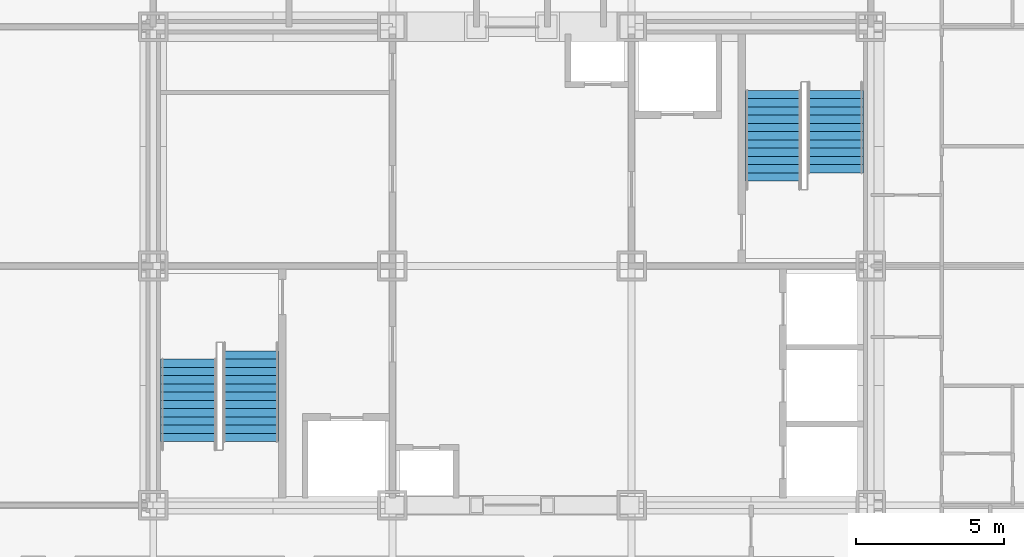
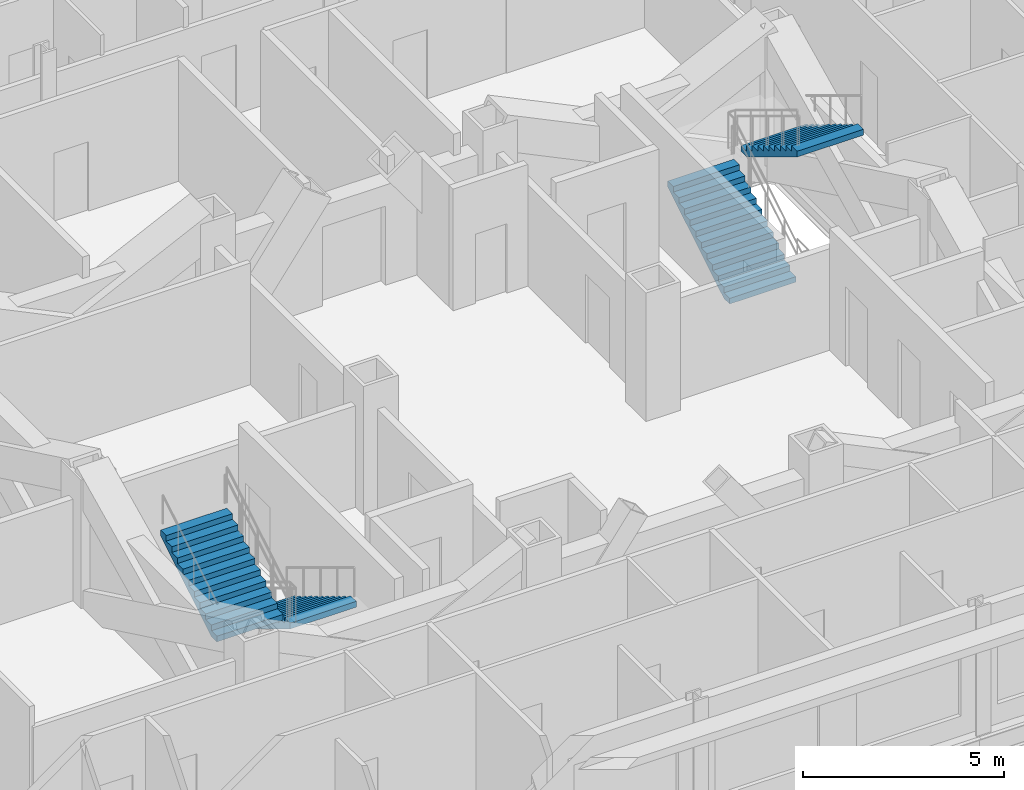
# One storey, part 15 of 16: 4 stair flights, 2 elements without a shape of their own.
"""IFC4 building model written with IfcOpenShell, lengths in metres."""

from ifc_helpers import new_model, si_unit, direction, frame, origin, place, context, subcontext, project, spatial, polygons, source, transform, mapped, material, type_object, element, aggregate, save


model = new_model("IFC4")

# Units and contexts
model_context = context("Model", 3, precision=1e-05, world=origin(), true_north=direction((0.0, 1.0)))
body_context = subcontext(model_context, "Body", "Model", "MODEL_VIEW")
ifc_project = project(units=[si_unit("LENGTHUNIT", "METRE"), si_unit("AREAUNIT", "SQUARE_METRE"), si_unit("VOLUMEUNIT", "CUBIC_METRE"), si_unit("PLANEANGLEUNIT", "RADIAN"), si_unit("MASSUNIT", "GRAM", prefix="KILO")], contexts=[model_context])

# Site, building, storey
site_placement = place(None, origin())
site = spatial("IfcSite", under=ifc_project, at=site_placement, CompositionType="ELEMENT")
building_placement = place(site_placement, origin())
building = spatial("IfcBuilding", under=site, at=building_placement, Name="Kopane Lantern Tower", CompositionType="ELEMENT")
storey_placement = place(building_placement, frame((0.0, 0.0, 258.0)))
storey = spatial("IfcBuildingStorey", under=building, at=storey_placement, Name="L66", CompositionType="ELEMENT", Elevation=258.0)

# Stair, stair flight
ifc_material_1 = material(Name="Steel S355JR", Category="steel")
stair_type = type_object("IfcStairType", Name="EXIT STAIR 1900 HALF TURN", PredefinedType="HALF_TURN_STAIR", material=ifc_material_1)
stair_1_placement = place(storey_placement, origin())
stair_1 = element("IfcStair", 1, at=stair_1_placement, inside=storey, type_object=stair_type, Name="Exit stair ST1 L66", PredefinedType="HALF_TURN_STAIR")
ifc_material_2 = material(Name="Steel S355JR", Category="steel")
stair_flight_type = type_object("IfcStairFlightType", Name="STAIR FLIGHT 1900 STEEL", PredefinedType="STRAIGHT", material=ifc_material_2)
shared_shape_1 = source(origin(), body_context, "Body", "Tessellation", [
    polygons([(3.080078125, 0.949951172, 1.865234375), (2.800048828, 0.949951172, 1.865234375), (2.800048828, -0.949951172, 1.865234375), (3.080078125, -0.949951172, 1.865234375), (0.289306641, 0.949951172, 0.0), (3.080078125, 0.949951172, 1.689941406), (3.080078125, -0.949951172, 1.689941406), (0.289306641, -0.949951172, 0.0), (0.0, 0.949951172, 0.0), (0.0, -0.949951172, 0.0), (0.280029297, 0.949951172, 0.169677734), (0.0, 0.949951172, 0.169677734), (0.0, -0.949951172, 0.169677734), (0.280029297, -0.949951172, 0.169677734), (0.280029297, 0.949951172, 0.339111328), (0.280029297, -0.949951172, 0.339111328), (0.560058594, 0.949951172, 0.339111328), (0.560058594, -0.949951172, 0.339111328), (0.560058594, 0.949951172, 0.508789062), (0.560058594, -0.949951172, 0.508789062), (0.840087891, 0.949951172, 0.508789062), (0.840087891, -0.949951172, 0.508789062), (0.840087891, 0.949951172, 0.678222656), (0.840087891, -0.949951172, 0.678222656), (1.120117188, 0.949951172, 0.678222656), (1.120117188, -0.949951172, 0.678222656), (1.120117188, 0.949951172, 0.847900391), (1.120117188, -0.949951172, 0.847900391), (1.399902344, 0.949951172, 0.847900391), (1.399902344, -0.949951172, 0.847900391), (1.399902344, 0.949951172, 1.017333984), (1.399902344, -0.949951172, 1.017333984), (1.679931641, 0.949951172, 1.017333984), (1.679931641, -0.949951172, 1.017333984), (1.679931641, 0.949951172, 1.187011719), (1.679931641, -0.949951172, 1.187011719), (1.959960938, 0.949951172, 1.187011719), (1.959960938, -0.949951172, 1.187011719), (1.959960938, 0.949951172, 1.356445312), (1.959960938, -0.949951172, 1.356445312), (2.239990234, 0.949951172, 1.356445312), (2.239990234, -0.949951172, 1.356445312), (2.239990234, 0.949951172, 1.526123047), (2.239990234, -0.949951172, 1.526123047), (2.520019531, 0.949951172, 1.526123047), (2.520019531, -0.949951172, 1.526123047), (2.520019531, 0.949951172, 1.695556641), (2.520019531, -0.949951172, 1.695556641), (2.800048828, 0.949951172, 1.695556641), (2.800048828, -0.949951172, 1.695556641), (0.0, 0.0, 0.004585885), (0.0, 0.0, 0.009171769), (0.0, 0.0, 0.013757654), (0.0, 0.0, 0.018343539), (0.0, 0.0, 0.022929424), (0.0, 0.0, 0.027515308), (0.0, 0.0, 0.032101193), (0.0, 0.0, 0.036687078), (0.0, 0.0, 0.041272962), (0.0, 0.0, 0.045858847), (0.0, 0.0, 0.050444732), (0.0, 0.0, 0.055030617), (0.0, 0.0, 0.059616501), (0.0, 0.0, 0.064202386), (0.0, 0.0, 0.068788271), (0.0, 0.0, 0.073374155), (0.0, 0.0, 0.07796004), (0.0, 0.0, 0.082545925), (0.0, 0.0, 0.08713181), (0.0, 0.0, 0.091717694), (0.0, 0.0, 0.096303579), (0.0, 0.0, 0.100889464), (0.0, 0.0, 0.105475348), (0.0, 0.0, 0.110061233), (0.0, 0.0, 0.114647118), (0.0, 0.0, 0.119233003), (0.0, 0.0, 0.123818887), (0.0, 0.0, 0.128404772), (0.0, 0.0, 0.132990657), (0.0, 0.0, 0.137576541), (0.0, 0.0, 0.142162426), (0.0, 0.0, 0.146748311), (0.0, 0.0, 0.151334196), (0.0, 0.0, 0.15592008), (0.0, 0.0, 0.160505965), (0.0, 0.0, 0.16509185), (3.080078125, 0.0, 1.694679054), (3.080078125, 0.0, 1.699416702), (3.080078125, 0.0, 1.70415435), (3.080078125, 0.0, 1.708891997), (3.080078125, 0.0, 1.713629645), (3.080078125, 0.0, 1.718367293), (3.080078125, 0.0, 1.723104941), (3.080078125, 0.0, 1.727842589), (3.080078125, 0.0, 1.732580236), (3.080078125, 0.0, 1.737317884), (3.080078125, 0.0, 1.742055532), (3.080078125, 0.0, 1.74679318), (3.080078125, 0.0, 1.751530828), (3.080078125, 0.0, 1.756268476), (3.080078125, 0.0, 1.761006123), (3.080078125, 0.0, 1.765743771), (3.080078125, 0.0, 1.770481419), (3.080078125, 0.0, 1.775219067), (3.080078125, 0.0, 1.779956715), (3.080078125, 0.0, 1.784694362), (3.080078125, 0.0, 1.78943201), (3.080078125, 0.0, 1.794169658), (3.080078125, 0.0, 1.798907306), (3.080078125, 0.0, 1.803644954), (3.080078125, 0.0, 1.808382601), (3.080078125, 0.0, 1.813120249), (3.080078125, 0.0, 1.817857897), (3.080078125, 0.0, 1.822595545), (3.080078125, 0.0, 1.827333193), (3.080078125, 0.0, 1.83207084), (3.080078125, 0.0, 1.836808488), (3.080078125, 0.0, 1.841546136), (3.080078125, 0.0, 1.846283784), (3.080078125, 0.0, 1.851021432), (3.080078125, 0.0, 1.855759079), (3.080078125, 0.0, 1.860496727)], [[[1, 2, 3]], [[1, 3, 4]], [[5, 6, 7]], [[5, 7, 8]], [[9, 5, 8]], [[9, 8, 10]], [[11, 12, 13]], [[11, 13, 14]], [[15, 11, 14]], [[15, 14, 16]], [[17, 15, 16]], [[17, 16, 18]], [[19, 17, 18]], [[19, 18, 20]], [[21, 19, 20]], [[21, 20, 22]], [[23, 21, 22]], [[23, 22, 24]], [[25, 23, 24]], [[25, 24, 26]], [[27, 25, 26]], [[27, 26, 28]], [[29, 27, 28]], [[29, 28, 30]], [[31, 29, 30]], [[31, 30, 32]], [[33, 31, 32]], [[33, 32, 34]], [[35, 33, 34]], [[35, 34, 36]], [[37, 35, 36]], [[37, 36, 38]], [[39, 37, 38]], [[39, 38, 40]], [[41, 39, 40]], [[41, 40, 42]], [[43, 41, 42]], [[43, 42, 44]], [[45, 43, 44]], [[45, 44, 46]], [[47, 45, 46]], [[47, 46, 48]], [[49, 47, 48]], [[49, 48, 50]], [[2, 49, 50]], [[2, 50, 3]], [[49, 1, 6]], [[45, 49, 6]], [[2, 1, 49]], [[41, 45, 6]], [[47, 49, 45]], [[37, 41, 6]], [[43, 45, 41]], [[39, 41, 37]], [[35, 37, 33]], [[31, 33, 29]], [[5, 21, 25]], [[27, 29, 25]], [[17, 21, 5]], [[23, 25, 21]], [[11, 17, 5]], [[19, 21, 17]], [[9, 11, 5]], [[15, 17, 11]], [[12, 11, 9]], [[6, 5, 25]], [[6, 25, 29]], [[6, 29, 33]], [[6, 33, 37]], [[7, 4, 50]], [[7, 50, 46]], [[50, 4, 3]], [[7, 46, 42]], [[46, 50, 48]], [[7, 42, 38]], [[42, 46, 44]], [[38, 42, 40]], [[34, 38, 36]], [[30, 34, 32]], [[26, 22, 8]], [[26, 30, 28]], [[8, 22, 18]], [[22, 26, 24]], [[8, 18, 14]], [[18, 22, 20]], [[8, 14, 10]], [[14, 18, 16]], [[10, 14, 13]], [[26, 8, 7]], [[30, 26, 7]], [[34, 30, 7]], [[38, 34, 7]], [[10, 51, 9]], [[10, 52, 51]], [[9, 51, 52]], [[10, 53, 52]], [[9, 52, 53]], [[10, 54, 53]], [[9, 53, 54]], [[10, 55, 54]], [[9, 54, 55]], [[10, 56, 55]], [[9, 55, 56]], [[10, 57, 56]], [[9, 56, 57]], [[10, 58, 57]], [[9, 57, 58]], [[10, 59, 58]], [[9, 58, 59]], [[10, 60, 59]], [[9, 59, 60]], [[10, 61, 60]], [[9, 60, 61]], [[10, 62, 61]], [[9, 61, 62]], [[10, 63, 62]], [[9, 62, 63]], [[10, 64, 63]], [[9, 63, 64]], [[10, 65, 64]], [[9, 64, 65]], [[10, 66, 65]], [[9, 65, 66]], [[10, 67, 66]], [[9, 66, 67]], [[10, 68, 67]], [[9, 67, 68]], [[10, 69, 68]], [[9, 68, 69]], [[10, 70, 69]], [[9, 69, 70]], [[10, 71, 70]], [[9, 70, 71]], [[10, 72, 71]], [[9, 71, 72]], [[10, 73, 72]], [[9, 72, 73]], [[10, 74, 73]], [[9, 73, 74]], [[10, 75, 74]], [[9, 74, 75]], [[10, 76, 75]], [[9, 75, 76]], [[10, 77, 76]], [[9, 76, 77]], [[10, 78, 77]], [[9, 77, 78]], [[10, 79, 78]], [[9, 78, 79]], [[10, 80, 79]], [[9, 79, 80]], [[10, 81, 80]], [[9, 80, 81]], [[10, 82, 81]], [[9, 81, 82]], [[10, 83, 82]], [[9, 82, 83]], [[10, 84, 83]], [[9, 83, 84]], [[10, 85, 84]], [[9, 84, 85]], [[10, 86, 85]], [[9, 85, 86]], [[10, 13, 86]], [[86, 13, 12]], [[9, 86, 12]], [[7, 6, 87]], [[7, 87, 88]], [[6, 88, 87]], [[7, 88, 89]], [[6, 89, 88]], [[7, 89, 90]], [[6, 90, 89]], [[7, 90, 91]], [[6, 91, 90]], [[7, 91, 92]], [[6, 92, 91]], [[7, 92, 93]], [[6, 93, 92]], [[7, 93, 94]], [[6, 94, 93]], [[7, 94, 95]], [[6, 95, 94]], [[7, 95, 96]], [[6, 96, 95]], [[7, 96, 97]], [[6, 97, 96]], [[7, 97, 98]], [[6, 98, 97]], [[7, 98, 99]], [[6, 99, 98]], [[7, 99, 100]], [[6, 100, 99]], [[7, 100, 101]], [[6, 101, 100]], [[7, 101, 102]], [[6, 102, 101]], [[7, 102, 103]], [[6, 103, 102]], [[7, 103, 104]], [[6, 104, 103]], [[7, 104, 105]], [[6, 105, 104]], [[7, 105, 106]], [[6, 106, 105]], [[7, 106, 107]], [[6, 107, 106]], [[7, 107, 108]], [[6, 108, 107]], [[7, 108, 109]], [[6, 109, 108]], [[7, 109, 110]], [[6, 110, 109]], [[7, 110, 111]], [[6, 111, 110]], [[7, 111, 112]], [[6, 112, 111]], [[7, 112, 113]], [[6, 113, 112]], [[7, 113, 114]], [[6, 114, 113]], [[7, 114, 115]], [[6, 115, 114]], [[7, 115, 116]], [[6, 116, 115]], [[7, 116, 117]], [[6, 117, 116]], [[7, 117, 118]], [[6, 118, 117]], [[7, 118, 119]], [[6, 119, 118]], [[7, 119, 120]], [[6, 120, 119]], [[7, 120, 121]], [[6, 121, 120]], [[7, 121, 122]], [[6, 122, 121]], [[7, 122, 4]], [[122, 1, 4]], [[6, 1, 122]]], closed=True),
])
stair_flight_1_placement = place(storey_placement, frame((19.5, 29.530029296875, 0.0), z_axis=(0.0, 0.0, 1.0), x_axis=(0.0, -1.0, 0.0)))
stair_flight_1 = element("IfcStairFlight", 2, at=stair_flight_1_placement, type_object=stair_flight_type, Name="ST1 flight 1", NumberOfRisers=12, NumberOfTreads=11, PredefinedType="STRAIGHT", RiserHeight=0.169565217, TreadLength=0.28, context=body_context, shape_type="MappedRepresentation", body=[
    mapped(shared_shape_1, transform((0.0, 0.0, 0.0))),
])

stair_2_placement = place(storey_placement, origin())
stair_2 = element("IfcStair", 3, at=stair_2_placement, inside=storey, type_object=stair_type, Name="Exit stair ST2 L66", PredefinedType="HALF_TURN_STAIR")
stair_flight_2_placement = place(storey_placement, frame((37.199951171875, 35.27001953125, 0.0), z_axis=(0.0, 0.0, 1.0), x_axis=(0.0, 1.0, 0.0)))
stair_flight_2 = element("IfcStairFlight", 4, at=stair_flight_2_placement, type_object=stair_flight_type, Name="ST2 flight 1", NumberOfRisers=12, NumberOfTreads=11, PredefinedType="STRAIGHT", RiserHeight=0.169565217, TreadLength=0.28, context=body_context, shape_type="MappedRepresentation", body=[
    mapped(shared_shape_1, transform((0.0, 0.0, 0.0))),
])

# Stair flight
shared_shape_2 = source(origin(), body_context, "Body", "Tessellation", [
    polygons([(2.800048828, 0.949951172, 1.695556641), (2.520019531, 0.949951172, 1.695556641), (2.520019531, -0.949951172, 1.695556641), (2.800048828, -0.949951172, 1.695556641), (0.289306641, 0.949951172, 0.0), (2.800048828, 0.949951172, 1.520507812), (2.800048828, -0.949951172, 1.520507812), (0.289306641, -0.949951172, 0.0), (0.0, 0.949951172, 0.0), (0.0, -0.949951172, 0.0), (0.280029297, 0.949951172, 0.169677734), (0.0, 0.949951172, 0.169677734), (0.0, -0.949951172, 0.169677734), (0.280029297, -0.949951172, 0.169677734), (0.280029297, 0.949951172, 0.339111328), (0.280029297, -0.949951172, 0.339111328), (0.560058594, 0.949951172, 0.339111328), (0.560058594, -0.949951172, 0.339111328), (0.560058594, 0.949951172, 0.508789062), (0.560058594, -0.949951172, 0.508789062), (0.840087891, 0.949951172, 0.508789062), (0.840087891, -0.949951172, 0.508789062), (0.840087891, 0.949951172, 0.678222656), (0.840087891, -0.949951172, 0.678222656), (1.120117188, 0.949951172, 0.678222656), (1.120117188, -0.949951172, 0.678222656), (1.120117188, 0.949951172, 0.847900391), (1.120117188, -0.949951172, 0.847900391), (1.399902344, 0.949951172, 0.847900391), (1.399902344, -0.949951172, 0.847900391), (1.399902344, 0.949951172, 1.017333984), (1.399902344, -0.949951172, 1.017333984), (1.679931641, 0.949951172, 1.017333984), (1.679931641, -0.949951172, 1.017333984), (1.679931641, 0.949951172, 1.187011719), (1.679931641, -0.949951172, 1.187011719), (1.959960938, 0.949951172, 1.187011719), (1.959960938, -0.949951172, 1.187011719), (1.959960938, 0.949951172, 1.356445312), (1.959960938, -0.949951172, 1.356445312), (2.239990234, 0.949951172, 1.356445312), (2.239990234, -0.949951172, 1.356445312), (2.239990234, 0.949951172, 1.526123047), (2.239990234, -0.949951172, 1.526123047), (2.520019531, 0.949951172, 1.526123047), (2.520019531, -0.949951172, 1.526123047), (0.0, 0.0, 0.004585885), (0.0, 0.0, 0.009171769), (0.0, 0.0, 0.013757654), (0.0, 0.0, 0.018343539), (0.0, 0.0, 0.022929424), (0.0, 0.0, 0.027515308), (0.0, 0.0, 0.032101193), (0.0, 0.0, 0.036687078), (0.0, 0.0, 0.041272962), (0.0, 0.0, 0.045858847), (0.0, 0.0, 0.050444732), (0.0, 0.0, 0.055030617), (0.0, 0.0, 0.059616501), (0.0, 0.0, 0.064202386), (0.0, 0.0, 0.068788271), (0.0, 0.0, 0.073374155), (0.0, 0.0, 0.07796004), (0.0, 0.0, 0.082545925), (0.0, 0.0, 0.08713181), (0.0, 0.0, 0.091717694), (0.0, 0.0, 0.096303579), (0.0, 0.0, 0.100889464), (0.0, 0.0, 0.105475348), (0.0, 0.0, 0.110061233), (0.0, 0.0, 0.114647118), (0.0, 0.0, 0.119233003), (0.0, 0.0, 0.123818887), (0.0, 0.0, 0.128404772), (0.0, 0.0, 0.132990657), (0.0, 0.0, 0.137576541), (0.0, 0.0, 0.142162426), (0.0, 0.0, 0.146748311), (0.0, 0.0, 0.151334196), (0.0, 0.0, 0.15592008), (0.0, 0.0, 0.160505965), (0.0, 0.0, 0.16509185), (2.800048828, 0.0, 1.525238862), (2.800048828, 0.0, 1.529969911), (2.800048828, 0.0, 1.534700961), (2.800048828, 0.0, 1.53943201), (2.800048828, 0.0, 1.54416306), (2.800048828, 0.0, 1.548894109), (2.800048828, 0.0, 1.553625158), (2.800048828, 0.0, 1.558356208), (2.800048828, 0.0, 1.563087257), (2.800048828, 0.0, 1.567818307), (2.800048828, 0.0, 1.572549356), (2.800048828, 0.0, 1.577280405), (2.800048828, 0.0, 1.582011455), (2.800048828, 0.0, 1.586742504), (2.800048828, 0.0, 1.591473554), (2.800048828, 0.0, 1.596204603), (2.800048828, 0.0, 1.600935652), (2.800048828, 0.0, 1.605666702), (2.800048828, 0.0, 1.610397751), (2.800048828, 0.0, 1.615128801), (2.800048828, 0.0, 1.61985985), (2.800048828, 0.0, 1.624590899), (2.800048828, 0.0, 1.629321949), (2.800048828, 0.0, 1.634052998), (2.800048828, 0.0, 1.638784048), (2.800048828, 0.0, 1.643515097), (2.800048828, 0.0, 1.648246147), (2.800048828, 0.0, 1.652977196), (2.800048828, 0.0, 1.657708245), (2.800048828, 0.0, 1.662439295), (2.800048828, 0.0, 1.667170344), (2.800048828, 0.0, 1.671901394), (2.800048828, 0.0, 1.676632443), (2.800048828, 0.0, 1.681363492), (2.800048828, 0.0, 1.686094542), (2.800048828, 0.0, 1.690825591)], [[[1, 2, 3]], [[1, 3, 4]], [[5, 6, 7]], [[5, 7, 8]], [[9, 5, 8]], [[9, 8, 10]], [[11, 12, 13]], [[11, 13, 14]], [[15, 11, 14]], [[15, 14, 16]], [[17, 15, 16]], [[17, 16, 18]], [[19, 17, 18]], [[19, 18, 20]], [[21, 19, 20]], [[21, 20, 22]], [[23, 21, 22]], [[23, 22, 24]], [[25, 23, 24]], [[25, 24, 26]], [[27, 25, 26]], [[27, 26, 28]], [[29, 27, 28]], [[29, 28, 30]], [[31, 29, 30]], [[31, 30, 32]], [[33, 31, 32]], [[33, 32, 34]], [[35, 33, 34]], [[35, 34, 36]], [[37, 35, 36]], [[37, 36, 38]], [[39, 37, 38]], [[39, 38, 40]], [[41, 39, 40]], [[41, 40, 42]], [[43, 41, 42]], [[43, 42, 44]], [[45, 43, 44]], [[45, 44, 46]], [[2, 45, 46]], [[2, 46, 3]], [[45, 1, 6]], [[41, 45, 6]], [[2, 1, 45]], [[37, 41, 6]], [[43, 45, 41]], [[39, 41, 37]], [[35, 37, 33]], [[31, 33, 29]], [[5, 21, 25]], [[27, 29, 25]], [[17, 21, 5]], [[23, 25, 21]], [[11, 17, 5]], [[19, 21, 17]], [[9, 11, 5]], [[15, 17, 11]], [[12, 11, 9]], [[6, 5, 25]], [[6, 25, 29]], [[6, 29, 33]], [[6, 33, 37]], [[7, 4, 46]], [[7, 46, 42]], [[46, 4, 3]], [[7, 42, 38]], [[42, 46, 44]], [[38, 42, 40]], [[34, 38, 36]], [[30, 34, 32]], [[26, 22, 8]], [[26, 30, 28]], [[8, 22, 18]], [[22, 26, 24]], [[8, 18, 14]], [[18, 22, 20]], [[8, 14, 10]], [[14, 18, 16]], [[10, 14, 13]], [[26, 8, 7]], [[30, 26, 7]], [[34, 30, 7]], [[38, 34, 7]], [[10, 47, 9]], [[10, 48, 47]], [[9, 47, 48]], [[10, 49, 48]], [[9, 48, 49]], [[10, 50, 49]], [[9, 49, 50]], [[10, 51, 50]], [[9, 50, 51]], [[10, 52, 51]], [[9, 51, 52]], [[10, 53, 52]], [[9, 52, 53]], [[10, 54, 53]], [[9, 53, 54]], [[10, 55, 54]], [[9, 54, 55]], [[10, 56, 55]], [[9, 55, 56]], [[10, 57, 56]], [[9, 56, 57]], [[10, 58, 57]], [[9, 57, 58]], [[10, 59, 58]], [[9, 58, 59]], [[10, 60, 59]], [[9, 59, 60]], [[10, 61, 60]], [[9, 60, 61]], [[10, 62, 61]], [[9, 61, 62]], [[10, 63, 62]], [[9, 62, 63]], [[10, 64, 63]], [[9, 63, 64]], [[10, 65, 64]], [[9, 64, 65]], [[10, 66, 65]], [[9, 65, 66]], [[10, 67, 66]], [[9, 66, 67]], [[10, 68, 67]], [[9, 67, 68]], [[10, 69, 68]], [[9, 68, 69]], [[10, 70, 69]], [[9, 69, 70]], [[10, 71, 70]], [[9, 70, 71]], [[10, 72, 71]], [[9, 71, 72]], [[10, 73, 72]], [[9, 72, 73]], [[10, 74, 73]], [[9, 73, 74]], [[10, 75, 74]], [[9, 74, 75]], [[10, 76, 75]], [[9, 75, 76]], [[10, 77, 76]], [[9, 76, 77]], [[10, 78, 77]], [[9, 77, 78]], [[10, 79, 78]], [[9, 78, 79]], [[10, 80, 79]], [[9, 79, 80]], [[10, 81, 80]], [[9, 80, 81]], [[10, 82, 81]], [[9, 81, 82]], [[10, 13, 82]], [[82, 13, 12]], [[9, 82, 12]], [[7, 6, 83]], [[7, 83, 84]], [[6, 84, 83]], [[7, 84, 85]], [[6, 85, 84]], [[7, 85, 86]], [[6, 86, 85]], [[7, 86, 87]], [[6, 87, 86]], [[7, 87, 88]], [[6, 88, 87]], [[7, 88, 89]], [[6, 89, 88]], [[7, 89, 90]], [[6, 90, 89]], [[7, 90, 91]], [[6, 91, 90]], [[7, 91, 92]], [[6, 92, 91]], [[7, 92, 93]], [[6, 93, 92]], [[7, 93, 94]], [[6, 94, 93]], [[7, 94, 95]], [[6, 95, 94]], [[7, 95, 96]], [[6, 96, 95]], [[7, 96, 97]], [[6, 97, 96]], [[7, 97, 98]], [[6, 98, 97]], [[7, 98, 99]], [[6, 99, 98]], [[7, 99, 100]], [[6, 100, 99]], [[7, 100, 101]], [[6, 101, 100]], [[7, 101, 102]], [[6, 102, 101]], [[7, 102, 103]], [[6, 103, 102]], [[7, 103, 104]], [[6, 104, 103]], [[7, 104, 105]], [[6, 105, 104]], [[7, 105, 106]], [[6, 106, 105]], [[7, 106, 107]], [[6, 107, 106]], [[7, 107, 108]], [[6, 108, 107]], [[7, 108, 109]], [[6, 109, 108]], [[7, 109, 110]], [[6, 110, 109]], [[7, 110, 111]], [[6, 111, 110]], [[7, 111, 112]], [[6, 112, 111]], [[7, 112, 113]], [[6, 113, 112]], [[7, 113, 114]], [[6, 114, 113]], [[7, 114, 115]], [[6, 115, 114]], [[7, 115, 116]], [[6, 116, 115]], [[7, 116, 117]], [[6, 117, 116]], [[7, 117, 118]], [[6, 118, 117]], [[7, 118, 4]], [[118, 1, 4]], [[6, 1, 118]]], closed=True),
])
stair_flight_3_placement = place(storey_placement, frame((17.39990234375, 26.449951171875, 2.034912109375), z_axis=(0.0, 0.0, 1.0), x_axis=(0.0, 1.0, 0.0)))
stair_flight_3 = element("IfcStairFlight", 5, at=stair_flight_3_placement, type_object=stair_flight_type, Name="ST1 flight 2", NumberOfRisers=11, NumberOfTreads=10, PredefinedType="STRAIGHT", RiserHeight=0.169565217, TreadLength=0.28, context=body_context, shape_type="MappedRepresentation", body=[
    mapped(shared_shape_2, transform((0.0, 0.0, 0.0))),
])

aggregate(stair_1, [stair_flight_1, stair_flight_3])

stair_flight_4_placement = place(storey_placement, frame((39.300048828125, 38.35009765625, 2.034912109375), z_axis=(0.0, 0.0, 1.0), x_axis=(0.0, -1.0, 0.0)))
stair_flight_4 = element("IfcStairFlight", 6, at=stair_flight_4_placement, type_object=stair_flight_type, Name="ST2 flight 2", NumberOfRisers=11, NumberOfTreads=10, PredefinedType="STRAIGHT", RiserHeight=0.169565217, TreadLength=0.28, context=body_context, shape_type="MappedRepresentation", body=[
    mapped(shared_shape_2, transform((0.0, 0.0, 0.0))),
])

aggregate(stair_2, [stair_flight_2, stair_flight_4])

save(model, "model.ifc")
